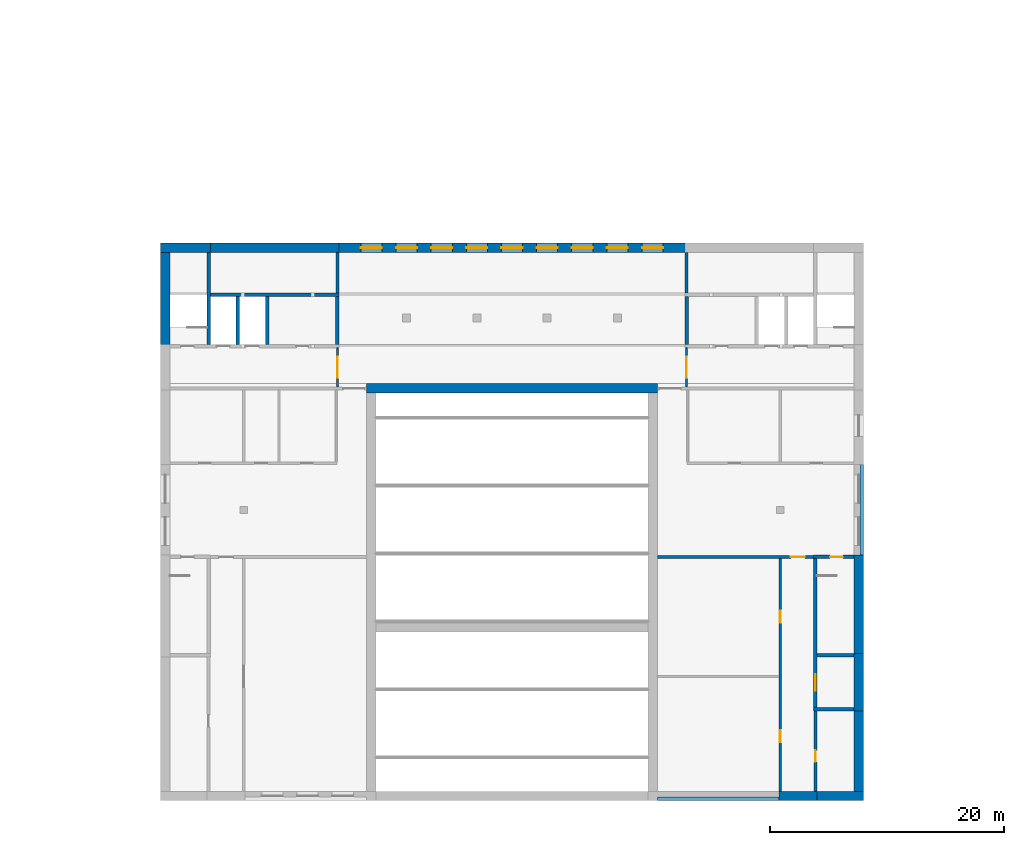
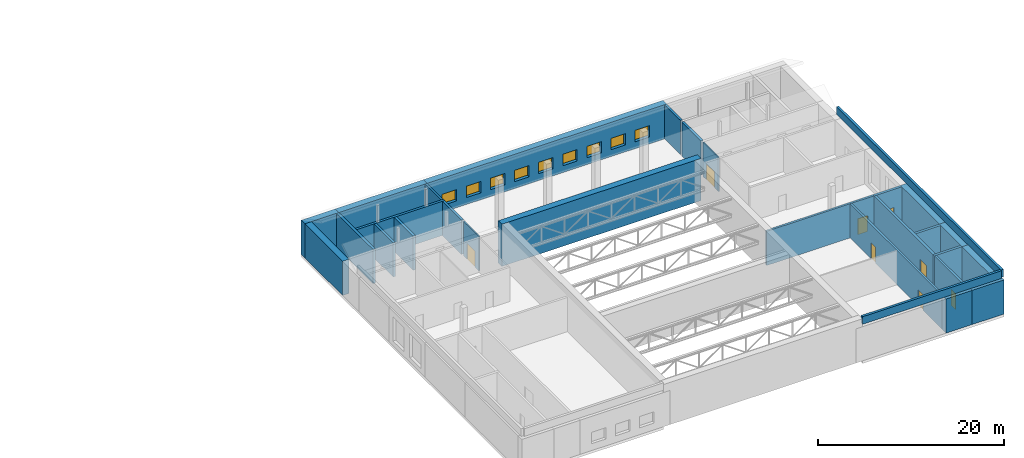
# One storey, part 17 of 35: 29 walls, 9 windows, 8 doors, 17 openings.
"""IFC4 building model written with IfcOpenShell, lengths in metres."""

import ifcopenshell
import ifcopenshell.guid

model = None  # the IFC model being written
_history = None  # IfcOwnerHistory: only IFC2X3 demands one
_inside = {}  # id of a spatial element -> (the spatial element, [elements in it])
_under = {}  # id of a project, library or spatial element -> (it, [spatial elements below it])
_declared = {}  # id of a project -> (the project, [libraries it declares])
_typed = {}  # id of a type object -> (the type object, [elements of that type])
_made_of = {}  # id of a material, layer set ... -> (it, [elements and type objects made of it])


def new_model(schema):
    """Start an empty IFC model of exactly this schema.

    Asked for "IFC4X3", IfcOpenShell would pick the latest addendum, in which some entities
    have other attributes; the version numbers below select the first issue.
    IFC2X3 requires an IfcOwnerHistory on every rooted entity: one is made here for all.
    """
    global model, _history
    if schema == "IFC4X3":
        model = ifcopenshell.file(schema_version=(4, 3, 0, 0))
    else:
        model = ifcopenshell.file(schema=schema)
    _inside.clear()
    _under.clear()
    _declared.clear()
    _typed.clear()
    _made_of.clear()
    _history = None
    if model.schema == "IFC2X3":
        org = make("IfcOrganization", Name="unknown")
        user = make(
            "IfcPersonAndOrganization",
            ThePerson=make("IfcPerson", FamilyName="unknown"),
            TheOrganization=org,
        )
        app = make(
            "IfcApplication",
            ApplicationDeveloper=org,
            Version="unknown",
            ApplicationFullName="unknown",
            ApplicationIdentifier="unknown",
        )
        _history = make(
            "IfcOwnerHistory",
            OwningUser=user,
            OwningApplication=app,
            ChangeAction="ADDED",
            CreationDate=0,
        )
    return model


def make(cls, **values):
    """One entity of the class cls with the attributes given. An attribute that is None is left unset."""
    return model.create_entity(
        cls, **{name: value for name, value in values.items() if value is not None}
    )


def rooted(cls, **values):
    """An entity with a GlobalId (a new one), such as an element, a storey or a relation."""
    return make(cls, GlobalId=ifcopenshell.guid.new(), OwnerHistory=_history, **values)


def si_unit(unit_type, name, prefix=None):
    """IfcSIUnit, for example si_unit("LENGTHUNIT", "METRE", prefix="MILLI")."""
    return make("IfcSIUnit", UnitType=unit_type, Prefix=prefix, Name=name)


def assignment(units):
    """IfcUnitAssignment: the units of a project."""
    return None if units is None else make("IfcUnitAssignment", Units=units)


def point(xyz):
    """IfcCartesianPoint."""
    return None if xyz is None else make("IfcCartesianPoint", Coordinates=xyz)


def direction(xyz):
    """IfcDirection."""
    return None if xyz is None else make("IfcDirection", DirectionRatios=xyz)


def frame(location, z_axis=None, x_axis=None):
    """IfcAxis2Placement3D, a coordinate frame: its origin and axes. An axis left out is left unset."""
    return make(
        "IfcAxis2Placement3D",
        Location=point(location),
        Axis=direction(z_axis),
        RefDirection=direction(x_axis),
    )


def frame_2d(location, x_axis=None):
    """IfcAxis2Placement2D, a coordinate frame in the plane: its origin and x axis."""
    return make(
        "IfcAxis2Placement2D", Location=point(location), RefDirection=direction(x_axis)
    )


def origin():
    """The frame at (0, 0, 0) with its axes left unset."""
    return frame((0.0, 0.0, 0.0))


def place(relative_to, where):
    """IfcLocalPlacement: puts the frame where relative to a parent placement (None: the world)."""
    return make(
        "IfcLocalPlacement", PlacementRelTo=relative_to, RelativePlacement=where
    )


def context(
    kind, dimensions, precision=None, world=None, true_north=None, identifier=None
):
    """IfcGeometricRepresentationContext, for example the 3D "Model" context."""
    return make(
        "IfcGeometricRepresentationContext",
        ContextIdentifier=identifier,
        ContextType=kind,
        CoordinateSpaceDimension=dimensions,
        Precision=precision,
        WorldCoordinateSystem=world,
        TrueNorth=true_north,
    )


def subcontext(parent, identifier, kind, view, scale=None):
    """IfcGeometricRepresentationSubContext, for example "Body" below "Model"."""
    return make(
        "IfcGeometricRepresentationSubContext",
        ContextIdentifier=identifier,
        ContextType=kind,
        ParentContext=parent,
        TargetScale=scale,
        TargetView=view,
    )


def project(units=None, contexts=None):
    """IfcProject with its units and contexts."""
    return rooted(
        "IfcProject",
        Name="project",
        RepresentationContexts=contexts,
        UnitsInContext=assignment(units),
    )


def spatial(cls, under=None, at=None, **own):
    """A site, building, storey or space (cls), placed at a placement, below another one or the project."""
    s = rooted(cls, ObjectPlacement=at, **own)
    if under is not None:
        _under.setdefault(under.id(), (under, []))[1].append(s)
    return s


def profile(cls, at=None, kind="AREA", **sizes):
    """A parametric profile (cls). Its sizes go by their IFC names, for example OverallWidth=200.0."""
    return make(cls, ProfileType=kind, Position=at, **sizes)


def rectangle(**sizes):
    """IfcRectangleProfileDef."""
    return profile("IfcRectangleProfileDef", **sizes)


def extrude(swept, where, along, depth):
    """IfcExtrudedAreaSolid: the profile swept, set in the frame where, extruded along a direction by depth."""
    return make(
        "IfcExtrudedAreaSolid",
        SweptArea=swept,
        Position=where,
        ExtrudedDirection=direction(along),
        Depth=depth,
    )


def shape(context_of_items, identifier, shape_type, items):
    """IfcShapeRepresentation: the items that make up one representation, for example the "Body"."""
    return make(
        "IfcShapeRepresentation",
        ContextOfItems=context_of_items,
        RepresentationIdentifier=identifier,
        RepresentationType=shape_type,
        Items=items,
    )


def material(Name=None, Category=None):
    """IfcMaterial."""
    return make("IfcMaterial", Name=Name, Category=Category)


def layer(
    of_material, thickness, ventilated=None, Name=None, Category=None, Priority=None
):
    """IfcMaterialLayer: one layer of a wall or slab, of a material (None: an air gap)."""
    return make(
        "IfcMaterialLayer",
        Material=of_material,
        LayerThickness=thickness,
        IsVentilated=ventilated,
        Name=Name,
        Category=Category,
        Priority=Priority,
    )


def layer_set(layers, Name=None):
    """IfcMaterialLayerSet."""
    return make("IfcMaterialLayerSet", MaterialLayers=layers, LayerSetName=Name)


def made_of(thing, what):
    """Note that an element or type object is made of a material, layer set ...; save() writes the relation."""
    if what is not None:
        _made_of.setdefault(what.id(), (what, []))[1].append(thing)
    return thing


def type_object(cls, material=None, **own):
    """A type object (cls), such as IfcWallType, which elements share."""
    return made_of(rooted(cls, **own), material)


def element(
    cls,
    number,
    at=None,
    inside=None,
    cuts=None,
    type_object=None,
    material=None,
    context=None,
    identifier="Body",
    shape_type=None,
    held_by="IfcProductDefinitionShape",
    body=None,
    shapes=None,
    **own,
):
    """One element of the class cls, such as IfcWall. Its Tag is "e" and its number.

    at: its placement. inside: the storey or other place that contains it. cuts: it is an
    opening in that element (IfcRelVoidsElement). A single representation is given by context,
    identifier, shape_type and body (its items); several are given by shapes. held_by: the class
    of the entity that holds the representations. save() writes the other relations.
    """
    e = rooted(cls, Tag="e%d" % number, ObjectPlacement=at, **own)
    if body is not None:
        shapes = [shape(context, identifier, shape_type, body)]
    if shapes is not None:
        e.Representation = make(held_by, Representations=shapes)
    if inside is not None:
        _inside.setdefault(inside.id(), (inside, []))[1].append(e)
    if cuts is not None:
        rooted(
            "IfcRelVoidsElement", RelatingBuildingElement=cuts, RelatedOpeningElement=e
        )
    if type_object is not None:
        _typed.setdefault(type_object.id(), (type_object, []))[1].append(e)
    return made_of(e, material)


def fill(opening, filler):
    """IfcRelFillsElement: the door or window that sits in an opening."""
    return rooted(
        "IfcRelFillsElement",
        RelatingOpeningElement=opening,
        RelatedBuildingElement=filler,
    )


def aggregate(whole, parts):
    """IfcRelAggregates: a whole, such as a stair, and the parts it consists of."""
    return rooted("IfcRelAggregates", RelatingObject=whole, RelatedObjects=parts)


def save(model, path):
    """Write the relations noted so far, then the file.

    IfcRelAggregates (storeys below a building ...), IfcRelContainedInSpatialStructure (elements
    in a storey), IfcRelDefinesByType, IfcRelAssociatesMaterial and IfcRelDeclares: one each for
    every whole, place, type object, material and project.
    """
    for whole, parts in _under.values():
        aggregate(whole, parts)
    for where, things in _inside.values():
        rooted(
            "IfcRelContainedInSpatialStructure",
            RelatedElements=things,
            RelatingStructure=where,
        )
    for kind, things in _typed.values():
        rooted("IfcRelDefinesByType", RelatedObjects=things, RelatingType=kind)
    for what, things in _made_of.values():
        rooted("IfcRelAssociatesMaterial", RelatedObjects=things, RelatingMaterial=what)
    for by, libraries in _declared.values():
        rooted("IfcRelDeclares", RelatingContext=by, RelatedDefinitions=libraries)
    model.write(path)


model = new_model("IFC4")

# Units and contexts
model_context = context("Model", 3, precision=1e-05, world=origin(), true_north=direction((0.0, 1.0)))
body_context = subcontext(model_context, "Body", "Model", "MODEL_VIEW")
ifc_project = project(units=[si_unit("LENGTHUNIT", "METRE"), si_unit("AREAUNIT", "SQUARE_METRE"), si_unit("VOLUMEUNIT", "CUBIC_METRE"), si_unit("PLANEANGLEUNIT", "RADIAN"), si_unit("MASSUNIT", "GRAM", prefix="KILO")], contexts=[model_context])

# Site, building, storey
site_placement = place(None, origin())
site = spatial("IfcSite", under=ifc_project, at=site_placement, CompositionType="ELEMENT")
building_placement = place(site_placement, origin())
building = spatial("IfcBuilding", under=site, at=building_placement, Name="Kiln Ring Residences", CompositionType="ELEMENT")
storey_placement = place(building_placement, frame((0.0, 0.0, 20.89990234375)))
storey = spatial("IfcBuildingStorey", under=building, at=storey_placement, Name="L04", CompositionType="ELEMENT", Elevation=20.89990234375)

# Walls
ifc_material_1 = material(Name="Concrete C40/50", Category="concrete")
ifc_layer_1 = layer(ifc_material_1, 0.800048828125)
ifc_layer_set_1 = layer_set([ifc_layer_1], Name="Hall Board-marked concrete C40/50 hall wall 800 internal")
wall_type_1 = type_object("IfcWallType", Name="Hall Board-marked concrete C40/50 hall wall 800 internal", PredefinedType="SOLIDWALL", material=ifc_layer_set_1)
wall_1_placement = place(storey_placement, frame((-12.39990234375, -124.800048828125, 0.0), z_axis=(0.0, 0.0, 1.0), x_axis=(1.0, 0.0, 0.0)))
element("IfcWall", 1, at=wall_1_placement, inside=storey, type_object=wall_type_1, Name="Hall wall L04 20", PredefinedType="SOLIDWALL", context=body_context, shape_type="SweptSolid", body=[
    extrude(rectangle(XDim=24.7998046875, YDim=0.800048828125, at=frame_2d((12.39990234375, 0.0))), origin(), (0.0, 0.0, 1.0), 5.550048828125),
])
ifc_material_2 = material(Name="Concrete C40/50", Category="concrete")
ifc_layer_2 = layer(ifc_material_2, 0.800048828125)
ifc_layer_set_2 = layer_set([ifc_layer_2], Name="Hall Exposed brick-faced reinforced concrete C40/50 wall 800")
wall_type_2 = type_object("IfcWallType", Name="Hall Exposed brick-faced reinforced concrete C40/50 wall 800", PredefinedType="SOLIDWALL", material=ifc_layer_set_2)
wall_2_placement = place(storey_placement, frame((22.775146484375, -159.60009765625, 0.0), z_axis=(0.0, 0.0, 1.0), x_axis=(1.0, 0.0, 0.0)))
element("IfcWall", 2, at=wall_2_placement, inside=storey, type_object=wall_type_2, Name="Hall wall L04 6", PredefinedType="SOLIDWALL", context=body_context, shape_type="SweptSolid", body=[
    extrude(rectangle(XDim=3.249755859375, YDim=0.800048828125, at=frame_2d((1.625, 0.0))), origin(), (0.0, 0.0, 1.0), 4.5),
])
wall_3_placement = place(storey_placement, frame((25.775146484375, -159.60009765625, 0.0), z_axis=(0.0, 0.0, 1.0), x_axis=(1.0, 0.0, 0.0)))
element("IfcWall", 3, at=wall_3_placement, inside=storey, type_object=wall_type_2, Name="Hall wall L04 7", PredefinedType="SOLIDWALL", context=body_context, shape_type="SweptSolid", body=[
    extrude(rectangle(XDim=4.224853515625, YDim=0.800048828125, at=frame_2d((2.1123046875, 0.0))), origin(), (0.0, 0.0, 1.0), 4.5),
])
wall_4_placement = place(storey_placement, frame((-30.0, -112.800048828125, 0.0), z_axis=(0.0, 0.0, 1.0), x_axis=(1.0, 0.0, 0.0)))
element("IfcWall", 4, at=wall_4_placement, inside=storey, type_object=wall_type_2, Name="Hall wall L04 26", PredefinedType="SOLIDWALL", context=body_context, shape_type="SweptSolid", body=[
    extrude(rectangle(XDim=4.25, YDim=0.800048828125, at=frame_2d((2.125, 0.0))), origin(), (0.0, 0.0, 1.0), 4.5),
])
wall_5_placement = place(storey_placement, frame((-26.0498046875, -112.800048828125, 0.0), z_axis=(0.0, 0.0, 1.0), x_axis=(1.0, 0.0, 0.0)))
element("IfcWall", 5, at=wall_5_placement, inside=storey, type_object=wall_type_2, Name="Hall wall L04 27", PredefinedType="SOLIDWALL", context=body_context, shape_type="SweptSolid", body=[
    extrude(rectangle(XDim=11.274658203125, YDim=0.800048828125, at=frame_2d((5.63720703125, 0.0))), origin(), (0.0, 0.0, 1.0), 4.5),
])

# Wall, openings, windows
wall_6_placement = place(storey_placement, frame((-15.02490234375, -112.800048828125, 0.0), z_axis=(0.0, 0.0, 1.0), x_axis=(1.0, 0.0, 0.0)))
wall_6 = element("IfcWall", 6, at=wall_6_placement, inside=storey, type_object=wall_type_2, Name="Hall wall L04 28", PredefinedType="SOLIDWALL", context=body_context, shape_type="SweptSolid", body=[
    extrude(rectangle(XDim=30.0498046875, YDim=0.800048828125, at=frame_2d((15.02490234375, 0.0))), origin(), (0.0, 0.0, 1.0), 4.5),
])
opening_1_placement = place(wall_6_placement, frame((2.125, 0.0, 0.89990234375)))
opening_1 = element("IfcOpeningElement", 7, at=opening_1_placement, cuts=wall_6, Name="Opening WL04-01", PredefinedType="OPENING", context=body_context, shape_type="SweptSolid", body=[
    extrude(rectangle(XDim=1.800048828125, YDim=1.5, at=frame_2d((0.89990234375, 0.75))), frame((0.0, 0.409912109375, 0.0), z_axis=(0.0, -1.0, 0.0), x_axis=(1.0, 0.0, 0.0)), (0.0, 0.0, 1.0), 0.820068359375),
])
opening_2_placement = place(wall_6_placement, frame((5.125, 0.0, 0.89990234375)))
opening_2 = element("IfcOpeningElement", 8, at=opening_2_placement, cuts=wall_6, Name="Opening WL04-02", PredefinedType="OPENING", context=body_context, shape_type="SweptSolid", body=[
    extrude(rectangle(XDim=1.800048828125, YDim=1.5, at=frame_2d((0.89990234375, 0.75))), frame((0.0, 0.409912109375, 0.0), z_axis=(0.0, -1.0, 0.0), x_axis=(1.0, 0.0, 0.0)), (0.0, 0.0, 1.0), 0.820068359375),
])
opening_3_placement = place(wall_6_placement, frame((8.125, 0.0, 0.89990234375)))
opening_3 = element("IfcOpeningElement", 9, at=opening_3_placement, cuts=wall_6, Name="Opening WL04-03", PredefinedType="OPENING", context=body_context, shape_type="SweptSolid", body=[
    extrude(rectangle(XDim=1.800048828125, YDim=1.5, at=frame_2d((0.89990234375, 0.75))), frame((0.0, 0.409912109375, 0.0), z_axis=(0.0, -1.0, 0.0), x_axis=(1.0, 0.0, 0.0)), (0.0, 0.0, 1.0), 0.820068359375),
])
opening_4_placement = place(wall_6_placement, frame((11.125, 0.0, 0.89990234375)))
opening_4 = element("IfcOpeningElement", 10, at=opening_4_placement, cuts=wall_6, Name="Opening WL04-04", PredefinedType="OPENING", context=body_context, shape_type="SweptSolid", body=[
    extrude(rectangle(XDim=1.800048828125, YDim=1.5, at=frame_2d((0.89990234375, 0.75))), frame((0.0, 0.409912109375, 0.0), z_axis=(0.0, -1.0, 0.0), x_axis=(1.0, 0.0, 0.0)), (0.0, 0.0, 1.0), 0.820068359375),
])
opening_5_placement = place(wall_6_placement, frame((14.125, 0.0, 0.89990234375)))
opening_5 = element("IfcOpeningElement", 11, at=opening_5_placement, cuts=wall_6, Name="Opening WL04-05", PredefinedType="OPENING", context=body_context, shape_type="SweptSolid", body=[
    extrude(rectangle(XDim=1.800048828125, YDim=1.5, at=frame_2d((0.89990234375, 0.75))), frame((0.0, 0.409912109375, 0.0), z_axis=(0.0, -1.0, 0.0), x_axis=(1.0, 0.0, 0.0)), (0.0, 0.0, 1.0), 0.820068359375),
])
opening_6_placement = place(wall_6_placement, frame((17.125, 0.0, 0.89990234375)))
opening_6 = element("IfcOpeningElement", 12, at=opening_6_placement, cuts=wall_6, Name="Opening WL04-06", PredefinedType="OPENING", context=body_context, shape_type="SweptSolid", body=[
    extrude(rectangle(XDim=1.800048828125, YDim=1.5, at=frame_2d((0.89990234375, 0.75))), frame((0.0, 0.409912109375, 0.0), z_axis=(0.0, -1.0, 0.0), x_axis=(1.0, 0.0, 0.0)), (0.0, 0.0, 1.0), 0.820068359375),
])
opening_7_placement = place(wall_6_placement, frame((20.125, 0.0, 0.89990234375)))
opening_7 = element("IfcOpeningElement", 13, at=opening_7_placement, cuts=wall_6, Name="Opening WL04-07", PredefinedType="OPENING", context=body_context, shape_type="SweptSolid", body=[
    extrude(rectangle(XDim=1.800048828125, YDim=1.5, at=frame_2d((0.89990234375, 0.75))), frame((0.0, 0.409912109375, 0.0), z_axis=(0.0, -1.0, 0.0), x_axis=(1.0, 0.0, 0.0)), (0.0, 0.0, 1.0), 0.820068359375),
])
opening_8_placement = place(wall_6_placement, frame((23.125, 0.0, 0.89990234375)))
opening_8 = element("IfcOpeningElement", 14, at=opening_8_placement, cuts=wall_6, Name="Opening WL04-08", PredefinedType="OPENING", context=body_context, shape_type="SweptSolid", body=[
    extrude(rectangle(XDim=1.800048828125, YDim=1.5, at=frame_2d((0.89990234375, 0.75))), frame((0.0, 0.409912109375, 0.0), z_axis=(0.0, -1.0, 0.0), x_axis=(1.0, 0.0, 0.0)), (0.0, 0.0, 1.0), 0.820068359375),
])
opening_9_placement = place(wall_6_placement, frame((26.125, 0.0, 0.89990234375)))
opening_9 = element("IfcOpeningElement", 15, at=opening_9_placement, cuts=wall_6, Name="Opening WL04-09", PredefinedType="OPENING", context=body_context, shape_type="SweptSolid", body=[
    extrude(rectangle(XDim=1.800048828125, YDim=1.5, at=frame_2d((0.89990234375, 0.75))), frame((0.0, 0.409912109375, 0.0), z_axis=(0.0, -1.0, 0.0), x_axis=(1.0, 0.0, 0.0)), (0.0, 0.0, 1.0), 0.820068359375),
])
ifc_material_3 = material(Name="Glazing in aluminium frame", Category="aluminium")
window_type = type_object("IfcWindowType", Name="Hall room window 1800 x 1500", PartitioningType="DOUBLE_PANEL_VERTICAL", PredefinedType="WINDOW", material=ifc_material_3)
window_1_placement = place(opening_1_placement, origin())
window_1 = element("IfcWindow", 16, at=window_1_placement, inside=storey, type_object=window_type, Name="Hall window L04-01", OverallHeight=1.5, OverallWidth=1.800048828125, PartitioningType="SINGLE_PANEL", PredefinedType="WINDOW", context=body_context, shape_type="SweptSolid", body=[
    extrude(rectangle(XDim=1.800048828125, YDim=1.5, at=frame_2d((0.89990234375, 0.75))), frame((0.0, 0.030029296875, 0.0), z_axis=(0.0, -1.0, 0.0), x_axis=(1.0, 0.0, 0.0)), (0.0, 0.0, 1.0), 0.06005859375),
])
fill(opening_1, window_1)
window_2_placement = place(opening_2_placement, origin())
window_2 = element("IfcWindow", 17, at=window_2_placement, inside=storey, type_object=window_type, Name="Hall window L04-02", OverallHeight=1.5, OverallWidth=1.800048828125, PartitioningType="SINGLE_PANEL", PredefinedType="WINDOW", context=body_context, shape_type="SweptSolid", body=[
    extrude(rectangle(XDim=1.800048828125, YDim=1.5, at=frame_2d((0.89990234375, 0.75))), frame((0.0, 0.030029296875, 0.0), z_axis=(0.0, -1.0, 0.0), x_axis=(1.0, 0.0, 0.0)), (0.0, 0.0, 1.0), 0.06005859375),
])
fill(opening_2, window_2)
window_3_placement = place(opening_3_placement, origin())
window_3 = element("IfcWindow", 18, at=window_3_placement, inside=storey, type_object=window_type, Name="Hall window L04-03", OverallHeight=1.5, OverallWidth=1.800048828125, PartitioningType="SINGLE_PANEL", PredefinedType="WINDOW", context=body_context, shape_type="SweptSolid", body=[
    extrude(rectangle(XDim=1.800048828125, YDim=1.5, at=frame_2d((0.89990234375, 0.75))), frame((0.0, 0.030029296875, 0.0), z_axis=(0.0, -1.0, 0.0), x_axis=(1.0, 0.0, 0.0)), (0.0, 0.0, 1.0), 0.06005859375),
])
fill(opening_3, window_3)
window_4_placement = place(opening_4_placement, origin())
window_4 = element("IfcWindow", 19, at=window_4_placement, inside=storey, type_object=window_type, Name="Hall window L04-04", OverallHeight=1.5, OverallWidth=1.800048828125, PartitioningType="SINGLE_PANEL", PredefinedType="WINDOW", context=body_context, shape_type="SweptSolid", body=[
    extrude(rectangle(XDim=1.800048828125, YDim=1.5, at=frame_2d((0.89990234375, 0.75))), frame((0.0, 0.030029296875, 0.0), z_axis=(0.0, -1.0, 0.0), x_axis=(1.0, 0.0, 0.0)), (0.0, 0.0, 1.0), 0.06005859375),
])
fill(opening_4, window_4)
window_5_placement = place(opening_5_placement, origin())
window_5 = element("IfcWindow", 20, at=window_5_placement, inside=storey, type_object=window_type, Name="Hall window L04-05", OverallHeight=1.5, OverallWidth=1.800048828125, PartitioningType="SINGLE_PANEL", PredefinedType="WINDOW", context=body_context, shape_type="SweptSolid", body=[
    extrude(rectangle(XDim=1.800048828125, YDim=1.5, at=frame_2d((0.89990234375, 0.75))), frame((0.0, 0.030029296875, 0.0), z_axis=(0.0, -1.0, 0.0), x_axis=(1.0, 0.0, 0.0)), (0.0, 0.0, 1.0), 0.06005859375),
])
fill(opening_5, window_5)
window_6_placement = place(opening_6_placement, origin())
window_6 = element("IfcWindow", 21, at=window_6_placement, inside=storey, type_object=window_type, Name="Hall window L04-06", OverallHeight=1.5, OverallWidth=1.800048828125, PartitioningType="SINGLE_PANEL", PredefinedType="WINDOW", context=body_context, shape_type="SweptSolid", body=[
    extrude(rectangle(XDim=1.800048828125, YDim=1.5, at=frame_2d((0.89990234375, 0.75))), frame((0.0, 0.030029296875, 0.0), z_axis=(0.0, -1.0, 0.0), x_axis=(1.0, 0.0, 0.0)), (0.0, 0.0, 1.0), 0.06005859375),
])
fill(opening_6, window_6)
window_7_placement = place(opening_7_placement, origin())
window_7 = element("IfcWindow", 22, at=window_7_placement, inside=storey, type_object=window_type, Name="Hall window L04-07", OverallHeight=1.5, OverallWidth=1.800048828125, PartitioningType="SINGLE_PANEL", PredefinedType="WINDOW", context=body_context, shape_type="SweptSolid", body=[
    extrude(rectangle(XDim=1.800048828125, YDim=1.5, at=frame_2d((0.89990234375, 0.75))), frame((0.0, 0.030029296875, 0.0), z_axis=(0.0, -1.0, 0.0), x_axis=(1.0, 0.0, 0.0)), (0.0, 0.0, 1.0), 0.06005859375),
])
fill(opening_7, window_7)
window_8_placement = place(opening_8_placement, origin())
window_8 = element("IfcWindow", 23, at=window_8_placement, inside=storey, type_object=window_type, Name="Hall window L04-08", OverallHeight=1.5, OverallWidth=1.800048828125, PartitioningType="SINGLE_PANEL", PredefinedType="WINDOW", context=body_context, shape_type="SweptSolid", body=[
    extrude(rectangle(XDim=1.800048828125, YDim=1.5, at=frame_2d((0.89990234375, 0.75))), frame((0.0, 0.030029296875, 0.0), z_axis=(0.0, -1.0, 0.0), x_axis=(1.0, 0.0, 0.0)), (0.0, 0.0, 1.0), 0.06005859375),
])
fill(opening_8, window_8)
window_9_placement = place(opening_9_placement, origin())
window_9 = element("IfcWindow", 24, at=window_9_placement, inside=storey, type_object=window_type, Name="Hall window L04-09", OverallHeight=1.5, OverallWidth=1.800048828125, PartitioningType="SINGLE_PANEL", PredefinedType="WINDOW", context=body_context, shape_type="SweptSolid", body=[
    extrude(rectangle(XDim=1.800048828125, YDim=1.5, at=frame_2d((0.89990234375, 0.75))), frame((0.0, 0.030029296875, 0.0), z_axis=(0.0, -1.0, 0.0), x_axis=(1.0, 0.0, 0.0)), (0.0, 0.0, 1.0), 0.06005859375),
])
fill(opening_9, window_9)

# Walls
wall_7_placement = place(storey_placement, frame((-29.60009765625, -121.349853515625, 0.0), z_axis=(0.0, 0.0, 1.0), x_axis=(0.0, 1.0, 0.0)))
element("IfcWall", 25, at=wall_7_placement, inside=storey, type_object=wall_type_2, Name="Hall wall L04 36", PredefinedType="SOLIDWALL", context=body_context, shape_type="SweptSolid", body=[
    extrude(rectangle(XDim=8.14990234375, YDim=0.800048828125, at=frame_2d((4.074951171875, 0.0))), origin(), (0.0, 0.0, 1.0), 4.5),
])
wall_8_placement = place(storey_placement, frame((29.60009765625, -152.050048828125, 0.0), z_axis=(0.0, 0.0, 1.0), x_axis=(0.0, -1.0, 0.0)))
element("IfcWall", 26, at=wall_8_placement, inside=storey, type_object=wall_type_2, Name="Hall wall L04 62", PredefinedType="SOLIDWALL", context=body_context, shape_type="SweptSolid", body=[
    extrude(rectangle(XDim=7.14990234375, YDim=0.800048828125, at=frame_2d((3.574951171875, 0.0))), origin(), (0.0, 0.0, 1.0), 4.5),
])
wall_9_placement = place(storey_placement, frame((29.60009765625, -147.4501953125, 0.0), z_axis=(0.0, 0.0, 1.0), x_axis=(0.0, -1.0, 0.0)))
element("IfcWall", 27, at=wall_9_placement, inside=storey, type_object=wall_type_2, Name="Hall wall L04 63", PredefinedType="SOLIDWALL", context=body_context, shape_type="SweptSolid", body=[
    extrude(rectangle(XDim=4.899658203125, YDim=0.800048828125, at=frame_2d((2.44970703125, 0.0))), origin(), (0.0, 0.0, 1.0), 4.5),
])
wall_10_placement = place(storey_placement, frame((29.60009765625, -139.050048828125, 0.0), z_axis=(0.0, 0.0, 1.0), x_axis=(0.0, -1.0, 0.0)))
element("IfcWall", 28, at=wall_10_placement, inside=storey, type_object=wall_type_2, Name="Hall wall L04 64", PredefinedType="SOLIDWALL", context=body_context, shape_type="SweptSolid", body=[
    extrude(rectangle(XDim=8.699951171875, YDim=0.800048828125, at=frame_2d((4.35009765625, 0.0))), origin(), (0.0, 0.0, 1.0), 4.5),
])
ifc_material_4 = material(Name="Concrete C40/50", Category="concrete")
ifc_layer_3 = layer(ifc_material_4, 0.300048828125)
ifc_layer_set_3 = layer_set([ifc_layer_3], Name="Hall Reinforced concrete C40/50 core wall 300")
wall_type_3 = type_object("IfcWallType", Name="Hall Reinforced concrete C40/50 core wall 300", PredefinedType="SOLIDWALL", material=ifc_layer_set_3)
wall_11_placement = place(storey_placement, frame((25.75, -152.199951171875, 0.0), z_axis=(0.0, 0.0, 1.0), x_axis=(1.0, 0.0, 0.0)))
element("IfcWall", 29, at=wall_11_placement, inside=storey, type_object=wall_type_3, Name="Hall wall L04 8", PredefinedType="SOLIDWALL", context=body_context, shape_type="SweptSolid", body=[
    extrude(rectangle(XDim=3.449951171875, YDim=0.300048828125, at=frame_2d((1.72509765625, 0.0))), origin(), (0.0, 0.0, 1.0), 4.5),
])
wall_12_placement = place(storey_placement, frame((26.050048828125, -147.60009765625, 0.0), z_axis=(0.0, 0.0, 1.0), x_axis=(1.0, 0.0, 0.0)))
element("IfcWall", 30, at=wall_12_placement, inside=storey, type_object=wall_type_3, Name="Hall wall L04 11", PredefinedType="SOLIDWALL", context=body_context, shape_type="SweptSolid", body=[
    extrude(rectangle(XDim=3.14990234375, YDim=0.300048828125, at=frame_2d((1.574951171875, 0.0))), origin(), (0.0, 0.0, 1.0), 4.5),
])

# Wall, opening, door
wall_13_placement = place(storey_placement, frame((25.75, -139.199951171875, 0.0), z_axis=(0.0, 0.0, 1.0), x_axis=(1.0, 0.0, 0.0)))
wall_13 = element("IfcWall", 31, at=wall_13_placement, inside=storey, type_object=wall_type_3, Name="Hall wall L04 16", PredefinedType="SOLIDWALL", context=body_context, shape_type="SweptSolid", body=[
    extrude(rectangle(XDim=3.449951171875, YDim=0.300048828125, at=frame_2d((1.72509765625, 0.0))), origin(), (0.0, 0.0, 1.0), 4.5),
])
opening_10_placement = place(wall_13_placement, frame((1.39990234375, 0.0, 0.0)))
opening_10 = element("IfcOpeningElement", 32, at=opening_10_placement, cuts=wall_13, Name="Opening L04-09", PredefinedType="OPENING", context=body_context, shape_type="SweptSolid", body=[
    extrude(rectangle(XDim=1.10009765625, YDim=2.10009765625, at=frame_2d((0.550048828125, 1.050048828125))), frame((0.0, 0.159912109375, 0.0), z_axis=(0.0, -1.0, 0.0), x_axis=(1.0, 0.0, 0.0)), (0.0, 0.0, 1.0), 0.320068359375),
])
ifc_material_5 = material(Name="Steel door leaf", Category="steel")
door_type_1 = type_object("IfcDoorType", Name="Hall Stair door 1100 x 2100", OperationType="SINGLE_SWING_LEFT", PredefinedType="DOOR", material=ifc_material_5)
door_1_placement = place(opening_10_placement, origin())
door_1 = element("IfcDoor", 33, at=door_1_placement, inside=storey, type_object=door_type_1, Name="Hall door L04-09", OperationType="SINGLE_SWING_LEFT", OverallHeight=2.10009765625, OverallWidth=1.10009765625, PredefinedType="DOOR", context=body_context, shape_type="SweptSolid", body=[
    extrude(rectangle(XDim=1.10009765625, YDim=2.10009765625, at=frame_2d((0.550048828125, 1.050048828125))), frame((0.0, 0.02490234375, 0.0), z_axis=(0.0, -1.0, 0.0), x_axis=(1.0, 0.0, 0.0)), (0.0, 0.0, 1.0), 0.050048828125),
])
fill(opening_10, door_1)

# Walls
wall_14_placement = place(storey_placement, frame((-25.75, -116.800048828125, 0.0), z_axis=(0.0, 0.0, 1.0), x_axis=(1.0, 0.0, 0.0)))
element("IfcWall", 34, at=wall_14_placement, inside=storey, type_object=wall_type_3, Name="Hall wall L04 24", PredefinedType="SOLIDWALL", context=body_context, shape_type="SweptSolid", body=[
    extrude(rectangle(XDim=11.0, YDim=0.300048828125, at=frame_2d((5.5, 0.0))), origin(), (0.0, 0.0, 1.0), 4.5),
])
wall_15_placement = place(storey_placement, frame((-25.89990234375, -121.050048828125, 0.0), z_axis=(0.0, 0.0, 1.0), x_axis=(0.0, 1.0, 0.0)))
element("IfcWall", 35, at=wall_15_placement, inside=storey, type_object=wall_type_3, Name="Hall wall L04 39", PredefinedType="SOLIDWALL", context=body_context, shape_type="SweptSolid", body=[
    extrude(rectangle(XDim=7.85009765625, YDim=0.300048828125, at=frame_2d((3.925048828125, 0.0))), origin(), (0.0, 0.0, 1.0), 4.5),
])
for number, where, z_axis, x_axis, name in (
    (36, (-23.39990234375, -121.050048828125, 0.0), (0.0, 0.0, 1.0), (0.0, 1.0, 0.0), "Hall wall L04 40"),
    (37, (-20.89990234375, -121.050048828125, 0.0), (0.0, 0.0, 1.0), (0.0, 1.0, 0.0), "Hall wall L04 43"),
    (38, (-14.89990234375, -121.050048828125, 0.0), (0.0, 0.0, 1.0), (0.0, 1.0, 0.0), "Hall wall L04 47"),
    (39, (14.89990234375, -121.050048828125, 0.0), (0.0, 0.0, 1.0), (0.0, 1.0, 0.0), "Hall wall L04 52"),
):
    element("IfcWall", number, at=place(storey_placement, frame(where, z_axis=z_axis, x_axis=x_axis)), inside=storey, type_object=wall_type_3, Name=name, PredefinedType="SOLIDWALL", context=body_context, shape_type="SweptSolid", body=[
        extrude(rectangle(XDim=4.10009765625, YDim=0.300048828125, at=frame_2d((2.050048828125, 0.0))), origin(), (0.0, 0.0, 1.0), 4.5),
    ])

# Wall, opening, door
wall_16_placement = place(storey_placement, frame((25.89990234375, -152.050048828125, 0.0), z_axis=(0.0, 0.0, 1.0), x_axis=(0.0, 1.0, 0.0)))
wall_16 = element("IfcWall", 40, at=wall_16_placement, inside=storey, type_object=wall_type_3, Name="Hall wall L04 60", PredefinedType="SOLIDWALL", context=body_context, shape_type="SweptSolid", body=[
    extrude(rectangle(XDim=12.824951171875, YDim=0.300048828125, at=frame_2d((6.41259765625, 0.0))), origin(), (0.0, 0.0, 1.0), 4.5),
])
opening_11_placement = place(wall_16_placement, frame((1.449951171875, 0.0, 0.0)))
opening_11 = element("IfcOpeningElement", 41, at=opening_11_placement, cuts=wall_16, Name="Opening L04-05", PredefinedType="OPENING", context=body_context, shape_type="SweptSolid", body=[
    extrude(rectangle(XDim=1.39990234375, YDim=2.199951171875, at=frame_2d((0.699951171875, 1.10009765625))), frame((0.0, 0.159912109375, 0.0), z_axis=(0.0, -1.0, 0.0), x_axis=(1.0, 0.0, 0.0)), (0.0, 0.0, 1.0), 0.320068359375),
])
ifc_material_6 = material(Name="Steel door leaf", Category="steel")
door_type_2 = type_object("IfcDoorType", Name="Hall Goods lift landing door 1400 x 2200", OperationType="DOUBLE_DOOR_SLIDING", PredefinedType="DOOR", material=ifc_material_6)
door_2_placement = place(opening_11_placement, origin())
door_2 = element("IfcDoor", 42, at=door_2_placement, inside=storey, type_object=door_type_2, Name="Hall door L04-05", OperationType="DOUBLE_DOOR_SLIDING", OverallHeight=2.199951171875, OverallWidth=1.39990234375, PredefinedType="DOOR", context=body_context, shape_type="SweptSolid", body=[
    extrude(rectangle(XDim=1.39990234375, YDim=2.199951171875, at=frame_2d((0.699951171875, 1.10009765625))), frame((0.0, 0.02490234375, 0.0), z_axis=(0.0, -1.0, 0.0), x_axis=(1.0, 0.0, 0.0)), (0.0, 0.0, 1.0), 0.050048828125),
])
fill(opening_11, door_2)

ifc_material_7 = material(Name="Concrete C40/50", Category="concrete")
ifc_layer_4 = layer(ifc_material_7, 0.25)
ifc_layer_set_4 = layer_set([ifc_layer_4], Name="Hall Reinforced concrete C40/50 wall 250")
wall_type_4 = type_object("IfcWallType", Name="Hall Reinforced concrete C40/50 wall 250", PredefinedType="SOLIDWALL", material=ifc_layer_set_4)
wall_17_placement = place(storey_placement, frame((12.39990234375, -139.199951171875, 0.0), z_axis=(0.0, 0.0, 1.0), x_axis=(1.0, 0.0, 0.0)))
wall_17 = element("IfcWall", 43, at=wall_17_placement, inside=storey, type_object=wall_type_4, Name="Hall wall L04 15", PredefinedType="SOLIDWALL", context=body_context, shape_type="SweptSolid", body=[
    extrude(rectangle(XDim=13.35009765625, YDim=0.25, at=frame_2d((6.675048828125, 0.0))), origin(), (0.0, 0.0, 1.0), 4.5),
])
opening_12_placement = place(wall_17_placement, frame((11.39990234375, 0.0, 0.0)))
opening_12 = element("IfcOpeningElement", 44, at=opening_12_placement, cuts=wall_17, Name="Opening L04-20", PredefinedType="OPENING", context=body_context, shape_type="SweptSolid", body=[
    extrude(rectangle(XDim=1.199951171875, YDim=2.10009765625, at=frame_2d((0.60009765625, 1.050048828125))), frame((0.0, 0.135009765625, 0.0), z_axis=(0.0, -1.0, 0.0), x_axis=(1.0, 0.0, 0.0)), (0.0, 0.0, 1.0), 0.27001953125),
])
ifc_material_8 = material(Name="Steel door leaf", Category="steel")
door_type_3 = type_object("IfcDoorType", Name="Hall Single door 1200 x 2100", OperationType="SINGLE_SWING_LEFT", PredefinedType="DOOR", material=ifc_material_8)
door_3_placement = place(opening_12_placement, origin())
door_3 = element("IfcDoor", 45, at=door_3_placement, inside=storey, type_object=door_type_3, Name="Hall door L04-20", OperationType="SINGLE_SWING_RIGHT", OverallHeight=2.10009765625, OverallWidth=1.199951171875, PredefinedType="DOOR", context=body_context, shape_type="SweptSolid", body=[
    extrude(rectangle(XDim=1.199951171875, YDim=2.10009765625, at=frame_2d((0.60009765625, 1.050048828125))), frame((0.0, 0.02490234375, 0.0), z_axis=(0.0, -1.0, 0.0), x_axis=(1.0, 0.0, 0.0)), (0.0, 0.0, 1.0), 0.050048828125),
])
fill(opening_12, door_3)

# Walls
for number, where, z_axis, x_axis, name in (
    (46, (-14.89990234375, -116.64990234375, 0.0), (0.0, 0.0, 1.0), (0.0, 1.0, 0.0), "Hall wall L04 48"),
    (47, (14.89990234375, -116.64990234375, 0.0), (0.0, 0.0, 1.0), (0.0, 1.0, 0.0), "Hall wall L04 53"),
):
    element("IfcWall", number, at=place(storey_placement, frame(where, z_axis=z_axis, x_axis=x_axis)), inside=storey, type_object=wall_type_4, Name=name, PredefinedType="SOLIDWALL", context=body_context, shape_type="SweptSolid", body=[
        extrude(rectangle(XDim=3.449951171875, YDim=0.25, at=frame_2d((1.72509765625, 0.0))), origin(), (0.0, 0.0, 1.0), 4.5),
    ])

# Wall, openings, doors
wall_18_placement = place(storey_placement, frame((22.89990234375, -159.199951171875, 0.0), z_axis=(0.0, 0.0, 1.0), x_axis=(0.0, 1.0, 0.0)))
wall_18 = element("IfcWall", 48, at=wall_18_placement, inside=storey, type_object=wall_type_4, Name="Hall wall L04 56", PredefinedType="SOLIDWALL", context=body_context, shape_type="SweptSolid", body=[
    extrude(rectangle(XDim=19.875, YDim=0.25, at=frame_2d((9.9375, 0.0))), origin(), (0.0, 0.0, 1.0), 4.5),
])
opening_13_placement = place(wall_18_placement, frame((14.39990234375, 0.0, 0.0)))
opening_13 = element("IfcOpeningElement", 49, at=opening_13_placement, cuts=wall_18, Name="Opening L04-23", PredefinedType="OPENING", context=body_context, shape_type="SweptSolid", body=[
    extrude(rectangle(XDim=1.0, YDim=2.10009765625, at=frame_2d((0.5, 1.050048828125))), frame((0.0, 0.135009765625, 0.0), z_axis=(0.0, -1.0, 0.0), x_axis=(1.0, 0.0, 0.0)), (0.0, 0.0, 1.0), 0.27001953125),
])
opening_14_placement = place(wall_18_placement, frame((4.199951171875, 0.0, 0.0)))
opening_14 = element("IfcOpeningElement", 50, at=opening_14_placement, cuts=wall_18, Name="Opening L04-24", PredefinedType="OPENING", context=body_context, shape_type="SweptSolid", body=[
    extrude(rectangle(XDim=1.0, YDim=2.10009765625, at=frame_2d((0.5, 1.050048828125))), frame((0.0, 0.135009765625, 0.0), z_axis=(0.0, -1.0, 0.0), x_axis=(1.0, 0.0, 0.0)), (0.0, 0.0, 1.0), 0.27001953125),
])
ifc_material_9 = material(Name="Steel door leaf", Category="steel")
door_type_4 = type_object("IfcDoorType", Name="Hall Single door 1000 x 2100", OperationType="SINGLE_SWING_LEFT", PredefinedType="DOOR", material=ifc_material_9)
door_4_placement = place(opening_13_placement, origin())
door_4 = element("IfcDoor", 51, at=door_4_placement, inside=storey, type_object=door_type_4, Name="Hall door L04-23", OperationType="SINGLE_SWING_LEFT", OverallHeight=2.10009765625, OverallWidth=1.0, PredefinedType="DOOR", context=body_context, shape_type="SweptSolid", body=[
    extrude(rectangle(XDim=1.0, YDim=2.10009765625, at=frame_2d((0.5, 1.050048828125))), frame((0.0, 0.02490234375, 0.0), z_axis=(0.0, -1.0, 0.0), x_axis=(1.0, 0.0, 0.0)), (0.0, 0.0, 1.0), 0.050048828125),
])
fill(opening_13, door_4)
door_5_placement = place(opening_14_placement, origin())
door_5 = element("IfcDoor", 52, at=door_5_placement, inside=storey, type_object=door_type_4, Name="Hall door L04-24", OperationType="SINGLE_SWING_RIGHT", OverallHeight=2.10009765625, OverallWidth=1.0, PredefinedType="DOOR", context=body_context, shape_type="SweptSolid", body=[
    extrude(rectangle(XDim=1.0, YDim=2.10009765625, at=frame_2d((0.5, 1.050048828125))), frame((0.0, 0.02490234375, 0.0), z_axis=(0.0, -1.0, 0.0), x_axis=(1.0, 0.0, 0.0)), (0.0, 0.0, 1.0), 0.050048828125),
])
fill(opening_14, door_5)

# Wall, opening, door
wall_19_placement = place(storey_placement, frame((25.89990234375, -159.199951171875, 0.0), z_axis=(0.0, 0.0, 1.0), x_axis=(0.0, 1.0, 0.0)))
wall_19 = element("IfcWall", 53, at=wall_19_placement, inside=storey, type_object=wall_type_4, Name="Hall wall L04 59", PredefinedType="SOLIDWALL", context=body_context, shape_type="SweptSolid", body=[
    extrude(rectangle(XDim=6.849853515625, YDim=0.25, at=frame_2d((3.4248046875, 0.0))), origin(), (0.0, 0.0, 1.0), 4.5),
])
opening_15_placement = place(wall_19_placement, frame((2.5, 0.0, 0.0)))
opening_15 = element("IfcOpeningElement", 54, at=opening_15_placement, cuts=wall_19, Name="Opening L04-25", PredefinedType="OPENING", context=body_context, shape_type="SweptSolid", body=[
    extrude(rectangle(XDim=1.0, YDim=2.10009765625, at=frame_2d((0.5, 1.050048828125))), frame((0.0, 0.135009765625, 0.0), z_axis=(0.0, -1.0, 0.0), x_axis=(1.0, 0.0, 0.0)), (0.0, 0.0, 1.0), 0.27001953125),
])
door_6_placement = place(opening_15_placement, origin())
door_6 = element("IfcDoor", 55, at=door_6_placement, inside=storey, type_object=door_type_4, Name="Hall door L04-25", OperationType="SINGLE_SWING_LEFT", OverallHeight=2.10009765625, OverallWidth=1.0, PredefinedType="DOOR", context=body_context, shape_type="SweptSolid", body=[
    extrude(rectangle(XDim=1.0, YDim=2.10009765625, at=frame_2d((0.5, 1.050048828125))), frame((0.0, 0.02490234375, 0.0), z_axis=(0.0, -1.0, 0.0), x_axis=(1.0, 0.0, 0.0)), (0.0, 0.0, 1.0), 0.050048828125),
])
fill(opening_15, door_6)

ifc_material_10 = material(Name="Masonry blockwork f'm 10 MPa", Category="masonry")
ifc_layer_5 = layer(ifc_material_10, 0.14990234375)
ifc_layer_set_5 = layer_set([ifc_layer_5], Name="Hall blockwork partition 150")
wall_type_5 = type_object("IfcWallType", Name="Hall blockwork partition 150", PredefinedType="PARTITIONING", material=ifc_layer_set_5)
wall_20_placement = place(storey_placement, frame((-14.89990234375, -124.675048828125, 0.0), z_axis=(0.0, 0.0, 1.0), x_axis=(0.0, 1.0, 0.0)))
wall_20 = element("IfcWall", 56, at=wall_20_placement, inside=storey, type_object=wall_type_5, Name="Hall wall L04 46", PredefinedType="PARTITIONING", context=body_context, shape_type="SweptSolid", body=[
    extrude(rectangle(XDim=3.324951171875, YDim=0.14990234375, at=frame_2d((1.66259765625, 0.0))), origin(), (0.0, 0.0, 1.0), 4.5),
])
opening_16_placement = place(wall_20_placement, frame((0.77490234375, 0.0, 0.0)))
opening_16 = element("IfcOpeningElement", 57, at=opening_16_placement, cuts=wall_20, Name="Opening L04-12", PredefinedType="OPENING", context=body_context, shape_type="SweptSolid", body=[
    extrude(rectangle(XDim=1.800048828125, YDim=2.10009765625, at=frame_2d((0.89990234375, 1.050048828125))), frame((0.0, 0.0849609375, 0.0), z_axis=(0.0, -1.0, 0.0), x_axis=(1.0, 0.0, 0.0)), (0.0, 0.0, 1.0), 0.169921875),
])
ifc_material_11 = material(Name="Steel door leaf", Category="steel")
door_type_5 = type_object("IfcDoorType", Name="Hall Double door 1800 x 2100", OperationType="DOUBLE_DOOR_SINGLE_SWING", PredefinedType="DOOR", material=ifc_material_11)
door_7_placement = place(opening_16_placement, origin())
door_7 = element("IfcDoor", 58, at=door_7_placement, inside=storey, type_object=door_type_5, Name="Hall door L04-12", OperationType="DOUBLE_DOOR_SINGLE_SWING", OverallHeight=2.10009765625, OverallWidth=1.800048828125, PredefinedType="DOOR", context=body_context, shape_type="SweptSolid", body=[
    extrude(rectangle(XDim=1.800048828125, YDim=2.10009765625, at=frame_2d((0.89990234375, 1.050048828125))), frame((0.0, 0.02490234375, 0.0), z_axis=(0.0, -1.0, 0.0), x_axis=(1.0, 0.0, 0.0)), (0.0, 0.0, 1.0), 0.050048828125),
])
fill(opening_16, door_7)

wall_21_placement = place(storey_placement, frame((14.89990234375, -124.675048828125, 0.0), z_axis=(0.0, 0.0, 1.0), x_axis=(0.0, 1.0, 0.0)))
wall_21 = element("IfcWall", 59, at=wall_21_placement, inside=storey, type_object=wall_type_5, Name="Hall wall L04 51", PredefinedType="PARTITIONING", context=body_context, shape_type="SweptSolid", body=[
    extrude(rectangle(XDim=3.324951171875, YDim=0.14990234375, at=frame_2d((1.66259765625, 0.0))), origin(), (0.0, 0.0, 1.0), 4.5),
])
opening_17_placement = place(wall_21_placement, frame((0.77490234375, 0.0, 0.0)))
opening_17 = element("IfcOpeningElement", 60, at=opening_17_placement, cuts=wall_21, Name="Opening L04-13", PredefinedType="OPENING", context=body_context, shape_type="SweptSolid", body=[
    extrude(rectangle(XDim=1.800048828125, YDim=2.10009765625, at=frame_2d((0.89990234375, 1.050048828125))), frame((0.0, 0.0849609375, 0.0), z_axis=(0.0, -1.0, 0.0), x_axis=(1.0, 0.0, 0.0)), (0.0, 0.0, 1.0), 0.169921875),
])
door_8_placement = place(opening_17_placement, origin())
door_8 = element("IfcDoor", 61, at=door_8_placement, inside=storey, type_object=door_type_5, Name="Hall door L04-13", OperationType="DOUBLE_DOOR_SINGLE_SWING", OverallHeight=2.10009765625, OverallWidth=1.800048828125, PredefinedType="DOOR", context=body_context, shape_type="SweptSolid", body=[
    extrude(rectangle(XDim=1.800048828125, YDim=2.10009765625, at=frame_2d((0.89990234375, 1.050048828125))), frame((0.0, 0.02490234375, 0.0), z_axis=(0.0, -1.0, 0.0), x_axis=(1.0, 0.0, 0.0)), (0.0, 0.0, 1.0), 0.050048828125),
])
fill(opening_17, door_8)

# Walls
ifc_material_12 = material(Name="Concrete C40/50", Category="concrete")
ifc_layer_6 = layer(ifc_material_12, 0.300048828125)
ifc_layer_set_6 = layer_set([ifc_layer_6], Name="Hall roof parapet wall 300")
wall_type_6 = type_object("IfcWallType", Name="Hall roof parapet wall 300", PredefinedType="PARAPET", material=ifc_layer_set_6)
wall_22_placement = place(storey_placement, frame((29.85009765625, -159.85009765625, 4.800048828125), z_axis=(0.0, 0.0, 1.0), x_axis=(0.0, 1.0, 0.0)))
element("IfcWall", 62, at=wall_22_placement, inside=storey, type_object=wall_type_6, Name="Hall roof parapet", PredefinedType="PARAPET", context=body_context, shape_type="SweptSolid", body=[
    extrude(rectangle(XDim=35.4501953125, YDim=0.300048828125, at=frame_2d((17.72509765625, 0.0))), origin(), (0.0, 0.0, 1.0), 1.0),
])
wall_23_placement = place(storey_placement, frame((12.39990234375, -159.85009765625, 4.800048828125), z_axis=(0.0, 0.0, 1.0), x_axis=(1.0, 0.0, 0.0)))
element("IfcWall", 63, at=wall_23_placement, inside=storey, type_object=wall_type_6, Name="Hall roof parapet", PredefinedType="PARAPET", context=body_context, shape_type="SweptSolid", body=[
    extrude(rectangle(XDim=17.300048828125, YDim=0.300048828125, at=frame_2d((8.64990234375, 0.0))), origin(), (0.0, 0.0, 1.0), 1.0),
])

save(model, "model.ifc")
